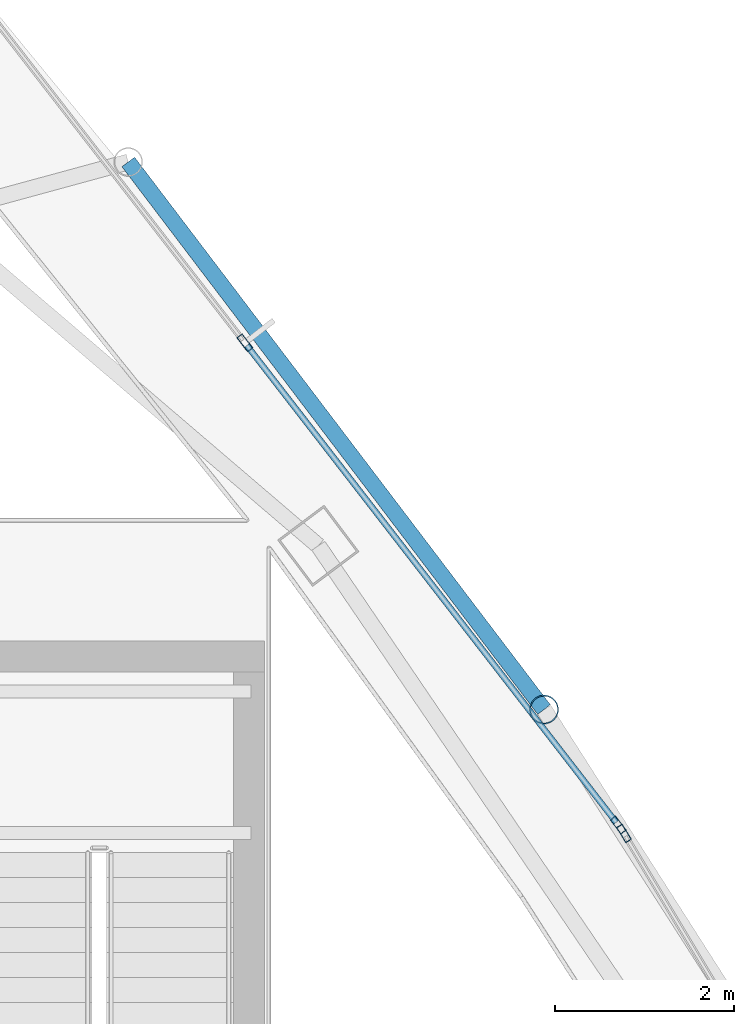
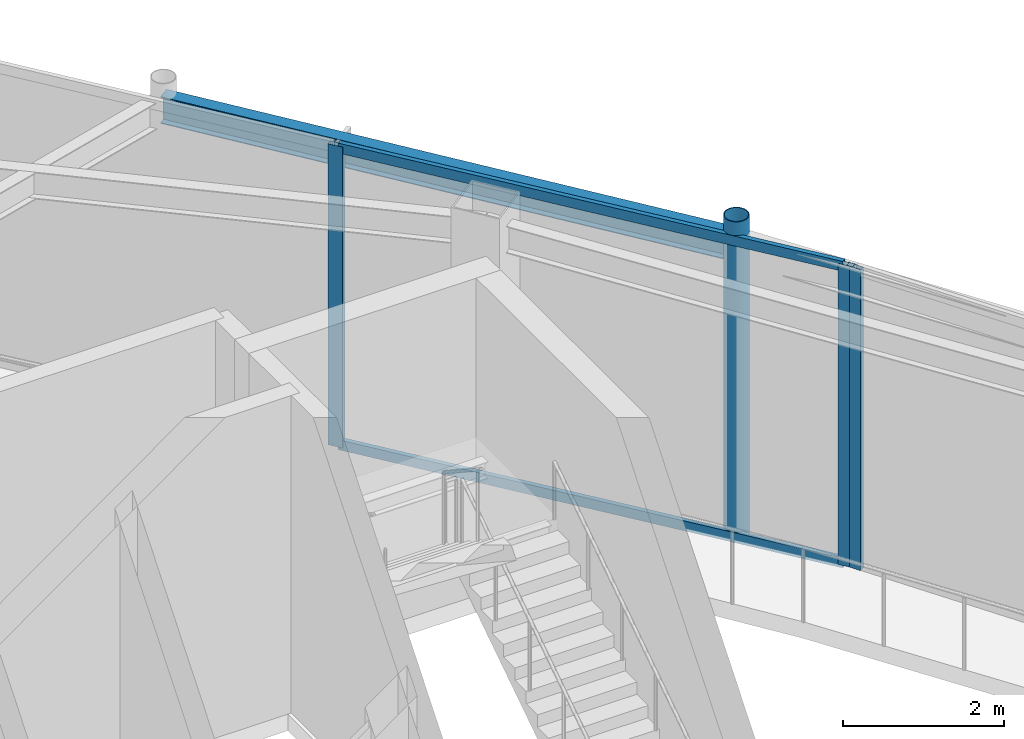
# One storey, part 10 of 19: 6 members, 1 beam, 2 elements without a shape of their own.
"""IFC4 building model written with IfcOpenShell, lengths in metres."""

from ifc_helpers import new_model, si_unit, direction, frame, origin, origin_2d, place, context, subcontext, project, spatial, hollow_rectangle, hollow_circle, i_section, extrude, material, layer, layer_set, material_profile, profile_set, type_object, element, aggregate, save


model = new_model("IFC4")

# Units and contexts
model_context = context("Model", 3, precision=1e-05, world=origin(), true_north=direction((0.0, 1.0)))
body_context = subcontext(model_context, "Body", "Model", "MODEL_VIEW")
ifc_project = project(units=[si_unit("LENGTHUNIT", "METRE"), si_unit("AREAUNIT", "SQUARE_METRE"), si_unit("VOLUMEUNIT", "CUBIC_METRE"), si_unit("PLANEANGLEUNIT", "RADIAN"), si_unit("MASSUNIT", "GRAM", prefix="KILO")], contexts=[model_context])

# Site, building, storey
site_placement = place(None, origin())
site = spatial("IfcSite", under=ifc_project, at=site_placement, CompositionType="ELEMENT")
building_placement = place(site_placement, origin())
building = spatial("IfcBuilding", under=site, at=building_placement, Name="Orvanel Arch Residences", CompositionType="ELEMENT")
storey_placement = place(building_placement, frame((0.0, 0.0, 295.699951171875)))
storey = spatial("IfcBuildingStorey", under=building, at=storey_placement, Name="L83", CompositionType="ELEMENT", Elevation=295.699951171875)

# Curtain wall, member
ifc_material_1 = material(Name="Bronze-anodised aluminium AA6063-T6", Category="aluminium")
ifc_layer = layer(ifc_material_1, 0.2099609375)
ifc_layer_set = layer_set([ifc_layer], Name="Bronze-anodised aluminium AA6063-T6")
curtain_wall_type = type_object("IfcCurtainWallType", Name="CW7-TOP-SYS", PredefinedType="NOTDEFINED", material=ifc_layer_set)
curtain_wall_1_placement = place(storey_placement, origin())
curtain_wall_1 = element("IfcCurtainWall", 1, at=curtain_wall_1_placement, inside=storey, type_object=curtain_wall_type, Name="L83 CW7-TOP-SYS Unitised Curtain Wall", PredefinedType="NOTDEFINED")
ifc_material_profile_1 = material_profile(ifc_material_1, hollow_rectangle(XDim=0.074951171875, YDim=0.199951171875, WallThickness=0.0048828125, at=origin_2d()), Name="ALU200x75x5")
ifc_profile_set_1 = profile_set([ifc_material_profile_1], Name="Bronze-anodised aluminium AA6063-T6")
member_type_1 = type_object("IfcMemberType", Name="MUL-200x75", PredefinedType="MULLION", material=ifc_profile_set_1)
member_1_placement = place(storey_placement, frame((43.773193359375, 31.892822265625, 0.0), z_axis=(0.0, 0.0, 1.0), x_axis=(-0.857522096821, -0.514447133788, 0.0)))
member_1 = element("IfcMember", 2, at=member_1_placement, type_object=member_type_1, Name="CW-S7 mullion 2", PredefinedType="MULLION", context=body_context, shape_type="SweptSolid", body=[
    extrude(hollow_rectangle(XDim=0.074951171875, YDim=0.199951171875, WallThickness=0.0048828125, at=origin_2d()), origin(), (0.0, 0.0, 1.0), 4.550048828125),
])
aggregate(curtain_wall_1, [member_1])

# Curtain wall, members
curtain_wall_2_placement = place(storey_placement, origin())
curtain_wall_2 = element("IfcCurtainWall", 3, at=curtain_wall_2_placement, inside=storey, type_object=curtain_wall_type, Name="L83 CW7-TOP-SYS Unitised Curtain Wall", PredefinedType="NOTDEFINED")
member_2_placement = place(storey_placement, frame((43.708984375, 31.987548828125, 0.0), z_axis=(0.0, 0.0, 1.0), x_axis=(-0.790656592833, -0.612259873102, 0.0)))
member_2 = element("IfcMember", 4, at=member_2_placement, type_object=member_type_1, Name="CW-S7 mullion 1", PredefinedType="MULLION", context=body_context, shape_type="SweptSolid", body=[
    extrude(hollow_rectangle(XDim=0.074951171875, YDim=0.199951171875, WallThickness=0.0048828125, at=origin_2d()), origin(), (0.0, 0.0, 1.0), 4.550048828125),
])
member_3_placement = place(storey_placement, frame((39.529541015625, 37.385009765625, 0.0), z_axis=(0.0, 0.0, 1.0), x_axis=(-0.790656592833, -0.612259873102, 0.0)))
member_3 = element("IfcMember", 5, at=member_3_placement, type_object=member_type_1, Name="CW-S7 mullion 2", PredefinedType="MULLION", context=body_context, shape_type="SweptSolid", body=[
    extrude(hollow_rectangle(XDim=0.074951171875, YDim=0.199951171875, WallThickness=0.0048828125, at=origin_2d()), origin(), (0.0, 0.0, 1.0), 4.550048828125),
])

# Beam
ifc_material_2 = material(Name="Structural steel AS/NZS 3679.1 Grade 300 (300 MPa)", Category="steel")
ifc_material_profile_2 = material_profile(ifc_material_2, i_section(OverallWidth=0.177978515625, OverallDepth=0.406005859375, WebThickness=0.0078125, FlangeThickness=0.0126953125, at=origin_2d()), Name="410UB59.7")
ifc_profile_set_2 = profile_set([ifc_material_profile_2], Name="Structural steel AS/NZS 3679.1 Grade 300 (300 MPa)")
beam_type = type_object("IfcBeamType", Name="OB-410UB-EXT", PredefinedType="SPANDREL", material=ifc_profile_set_2)
beam_placement = place(storey_placement, frame((42.87890625, 33.280029296875, 4.34716796875), z_axis=(-0.604759912546, 0.796407840354, 0.0), x_axis=(-0.796407840354, -0.604759912546, 0.0)))
element("IfcBeam", 6, at=beam_placement, inside=storey, type_object=beam_type, Name="L83 Outer Perimeter Floor Ring Beam 11", PredefinedType="SPANDREL", context=body_context, shape_type="SweptSolid", body=[
    extrude(i_section(OverallWidth=0.177978515625, OverallDepth=0.406005859375, WebThickness=0.0078125, FlangeThickness=0.0126953125, at=origin_2d()), origin(), (0.0, 0.0, 1.0), 7.697021484375),
])

# Member
ifc_material_3 = material(Name="Structural steel AS/NZS 1163 C350L0 (Grade 350)", Category="steel")
ifc_material_profile_3 = material_profile(ifc_material_3, hollow_circle(Radius=0.162109375, WallThickness=0.0126953125, at=origin_2d()), Name="CHS324x12.7")
ifc_profile_set_3 = profile_set([ifc_material_profile_3], Name="Structural steel AS/NZS 1163 C350L0 (Grade 350)")
member_type_2 = type_object("IfcMemberType", Name="ST-324CHS-EXT", PredefinedType="STRUT", material=ifc_profile_set_3)
member_4_placement = place(storey_placement, frame((42.87890625, 33.280029296875, 0.0), z_axis=(0.0, 0.0, 1.0), x_axis=(1.0, 0.0, 0.0)))
element("IfcMember", 7, at=member_4_placement, inside=storey, type_object=member_type_2, Name="L83 Outer Perimeter Frame Post 11", PredefinedType="STRUT", context=body_context, shape_type="SweptSolid", body=[
    extrude(hollow_circle(Radius=0.162109375, WallThickness=0.0126953125, at=origin_2d()), origin(), (0.0, 0.0, 1.0), 4.800048828125),
])

ifc_material_profile_4 = material_profile(ifc_material_1, hollow_rectangle(XDim=0.06494140625, YDim=0.14990234375, WallThickness=0.00390625, at=origin_2d()), Name="ALU150x65x4")
ifc_profile_set_4 = profile_set([ifc_material_profile_4], Name="Bronze-anodised aluminium AA6063-T6")
member_type_3 = type_object("IfcMemberType", Name="TRN-150x65", PredefinedType="USERDEFINED", material=ifc_profile_set_4)
member_5_placement = place(storey_placement, frame((43.68603515625, 32.017333984375, 0.032470703125), z_axis=(-0.612246853971, 0.790666674271, 0.0), x_axis=(-0.790666674271, -0.612246853971, 0.0)))
member_5 = element("IfcMember", 8, at=member_5_placement, type_object=member_type_3, Name="CW-S7 transom 1.1", ObjectType="TRANSOM", PredefinedType="USERDEFINED", context=body_context, shape_type="SweptSolid", body=[
    extrude(hollow_rectangle(XDim=0.06494140625, YDim=0.14990234375, WallThickness=0.00390625, at=origin_2d()), origin(), (0.0, 0.0, 1.0), 6.75146484375),
])

member_6_placement = place(storey_placement, frame((43.68603515625, 32.017333984375, 4.517578125), z_axis=(-0.612246853971, 0.790666674271, 0.0), x_axis=(-0.790666674271, -0.612246853971, 0.0)))
member_6 = element("IfcMember", 9, at=member_6_placement, type_object=member_type_3, Name="CW-S7 transom 1.2", ObjectType="TRANSOM", PredefinedType="USERDEFINED", context=body_context, shape_type="SweptSolid", body=[
    extrude(hollow_rectangle(XDim=0.06494140625, YDim=0.14990234375, WallThickness=0.00390625, at=origin_2d()), origin(), (0.0, 0.0, 1.0), 6.75146484375),
])

aggregate(curtain_wall_2, [member_2, member_3, member_5, member_6])

save(model, "model.ifc")
